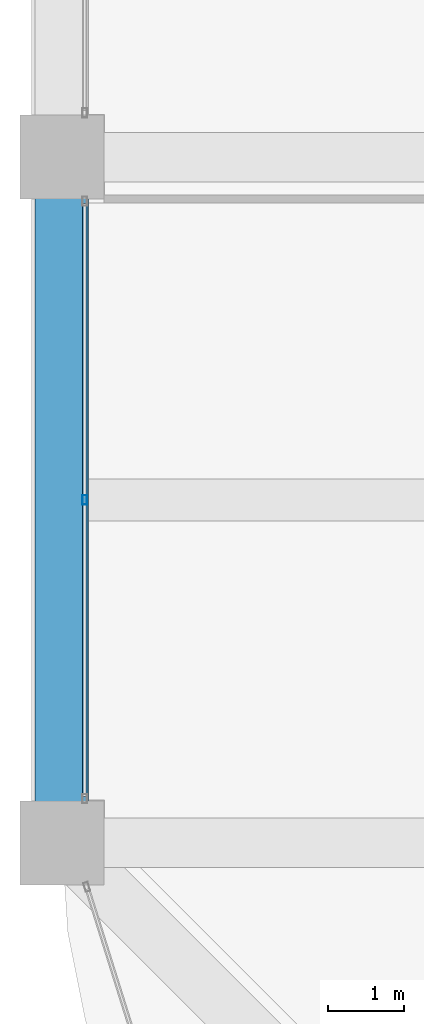
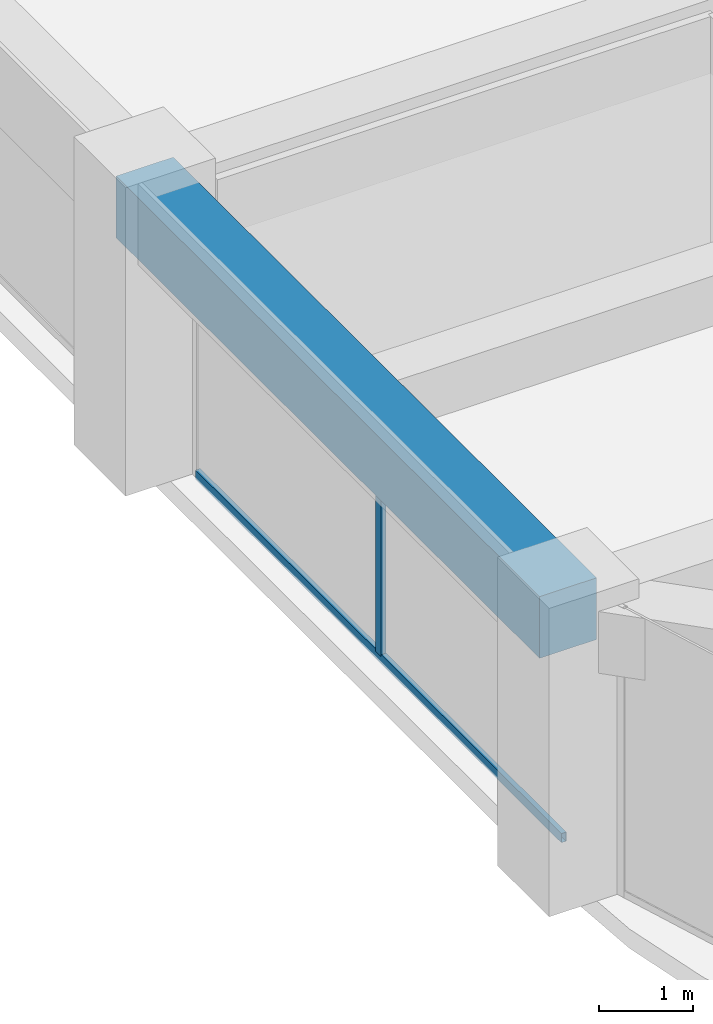
# One storey, part 7 of 45: 2 members, 1 beam, 1 element without a shape of its own.
"""IFC4 building model written with IfcOpenShell, lengths in metres."""

import ifcopenshell
import ifcopenshell.guid

model = None  # the IFC model being written
_history = None  # IfcOwnerHistory: only IFC2X3 demands one
_inside = {}  # id of a spatial element -> (the spatial element, [elements in it])
_under = {}  # id of a project, library or spatial element -> (it, [spatial elements below it])
_declared = {}  # id of a project -> (the project, [libraries it declares])
_typed = {}  # id of a type object -> (the type object, [elements of that type])
_made_of = {}  # id of a material, layer set ... -> (it, [elements and type objects made of it])


def new_model(schema):
    """Start an empty IFC model of exactly this schema.

    Asked for "IFC4X3", IfcOpenShell would pick the latest addendum, in which some entities
    have other attributes; the version numbers below select the first issue.
    IFC2X3 requires an IfcOwnerHistory on every rooted entity: one is made here for all.
    """
    global model, _history
    if schema == "IFC4X3":
        model = ifcopenshell.file(schema_version=(4, 3, 0, 0))
    else:
        model = ifcopenshell.file(schema=schema)
    _inside.clear()
    _under.clear()
    _declared.clear()
    _typed.clear()
    _made_of.clear()
    _history = None
    if model.schema == "IFC2X3":
        org = make("IfcOrganization", Name="unknown")
        user = make(
            "IfcPersonAndOrganization",
            ThePerson=make("IfcPerson", FamilyName="unknown"),
            TheOrganization=org,
        )
        app = make(
            "IfcApplication",
            ApplicationDeveloper=org,
            Version="unknown",
            ApplicationFullName="unknown",
            ApplicationIdentifier="unknown",
        )
        _history = make(
            "IfcOwnerHistory",
            OwningUser=user,
            OwningApplication=app,
            ChangeAction="ADDED",
            CreationDate=0,
        )
    return model


def make(cls, **values):
    """One entity of the class cls with the attributes given. An attribute that is None is left unset."""
    return model.create_entity(
        cls, **{name: value for name, value in values.items() if value is not None}
    )


def rooted(cls, **values):
    """An entity with a GlobalId (a new one), such as an element, a storey or a relation."""
    return make(cls, GlobalId=ifcopenshell.guid.new(), OwnerHistory=_history, **values)


def si_unit(unit_type, name, prefix=None):
    """IfcSIUnit, for example si_unit("LENGTHUNIT", "METRE", prefix="MILLI")."""
    return make("IfcSIUnit", UnitType=unit_type, Prefix=prefix, Name=name)


def assignment(units):
    """IfcUnitAssignment: the units of a project."""
    return None if units is None else make("IfcUnitAssignment", Units=units)


def point(xyz):
    """IfcCartesianPoint."""
    return None if xyz is None else make("IfcCartesianPoint", Coordinates=xyz)


def direction(xyz):
    """IfcDirection."""
    return None if xyz is None else make("IfcDirection", DirectionRatios=xyz)


def frame(location, z_axis=None, x_axis=None):
    """IfcAxis2Placement3D, a coordinate frame: its origin and axes. An axis left out is left unset."""
    return make(
        "IfcAxis2Placement3D",
        Location=point(location),
        Axis=direction(z_axis),
        RefDirection=direction(x_axis),
    )


def frame_2d(location, x_axis=None):
    """IfcAxis2Placement2D, a coordinate frame in the plane: its origin and x axis."""
    return make(
        "IfcAxis2Placement2D", Location=point(location), RefDirection=direction(x_axis)
    )


def origin():
    """The frame at (0, 0, 0) with its axes left unset."""
    return frame((0.0, 0.0, 0.0))


def origin_2d():
    """The frame at (0, 0) in the plane with its x axis left unset."""
    return frame_2d((0.0, 0.0))


def place(relative_to, where):
    """IfcLocalPlacement: puts the frame where relative to a parent placement (None: the world)."""
    return make(
        "IfcLocalPlacement", PlacementRelTo=relative_to, RelativePlacement=where
    )


def context(
    kind, dimensions, precision=None, world=None, true_north=None, identifier=None
):
    """IfcGeometricRepresentationContext, for example the 3D "Model" context."""
    return make(
        "IfcGeometricRepresentationContext",
        ContextIdentifier=identifier,
        ContextType=kind,
        CoordinateSpaceDimension=dimensions,
        Precision=precision,
        WorldCoordinateSystem=world,
        TrueNorth=true_north,
    )


def subcontext(parent, identifier, kind, view, scale=None):
    """IfcGeometricRepresentationSubContext, for example "Body" below "Model"."""
    return make(
        "IfcGeometricRepresentationSubContext",
        ContextIdentifier=identifier,
        ContextType=kind,
        ParentContext=parent,
        TargetScale=scale,
        TargetView=view,
    )


def project(units=None, contexts=None):
    """IfcProject with its units and contexts."""
    return rooted(
        "IfcProject",
        Name="project",
        RepresentationContexts=contexts,
        UnitsInContext=assignment(units),
    )


def spatial(cls, under=None, at=None, **own):
    """A site, building, storey or space (cls), placed at a placement, below another one or the project."""
    s = rooted(cls, ObjectPlacement=at, **own)
    if under is not None:
        _under.setdefault(under.id(), (under, []))[1].append(s)
    return s


def profile(cls, at=None, kind="AREA", **sizes):
    """A parametric profile (cls). Its sizes go by their IFC names, for example OverallWidth=200.0."""
    return make(cls, ProfileType=kind, Position=at, **sizes)


def rectangle(**sizes):
    """IfcRectangleProfileDef."""
    return profile("IfcRectangleProfileDef", **sizes)


def hollow_rectangle(**sizes):
    """IfcRectangleHollowProfileDef."""
    return profile("IfcRectangleHollowProfileDef", **sizes)


def extrude(swept, where, along, depth):
    """IfcExtrudedAreaSolid: the profile swept, set in the frame where, extruded along a direction by depth."""
    return make(
        "IfcExtrudedAreaSolid",
        SweptArea=swept,
        Position=where,
        ExtrudedDirection=direction(along),
        Depth=depth,
    )


def shape(context_of_items, identifier, shape_type, items):
    """IfcShapeRepresentation: the items that make up one representation, for example the "Body"."""
    return make(
        "IfcShapeRepresentation",
        ContextOfItems=context_of_items,
        RepresentationIdentifier=identifier,
        RepresentationType=shape_type,
        Items=items,
    )


def material(Name=None, Category=None):
    """IfcMaterial."""
    return make("IfcMaterial", Name=Name, Category=Category)


def material_profile(
    of_material, cross_section, Name=None, Category=None, Priority=None
):
    """IfcMaterialProfile: a cross section and its material."""
    return make(
        "IfcMaterialProfile",
        Name=Name,
        Material=of_material,
        Profile=cross_section,
        Priority=Priority,
        Category=Category,
    )


def profile_set(profiles, Name=None, composite=None):
    """IfcMaterialProfileSet."""
    return make(
        "IfcMaterialProfileSet",
        Name=Name,
        MaterialProfiles=profiles,
        CompositeProfile=composite,
    )


def made_of(thing, what):
    """Note that an element or type object is made of a material, layer set ...; save() writes the relation."""
    if what is not None:
        _made_of.setdefault(what.id(), (what, []))[1].append(thing)
    return thing


def type_object(cls, material=None, **own):
    """A type object (cls), such as IfcWallType, which elements share."""
    return made_of(rooted(cls, **own), material)


def element(
    cls,
    number,
    at=None,
    inside=None,
    cuts=None,
    type_object=None,
    material=None,
    context=None,
    identifier="Body",
    shape_type=None,
    held_by="IfcProductDefinitionShape",
    body=None,
    shapes=None,
    **own,
):
    """One element of the class cls, such as IfcWall. Its Tag is "e" and its number.

    at: its placement. inside: the storey or other place that contains it. cuts: it is an
    opening in that element (IfcRelVoidsElement). A single representation is given by context,
    identifier, shape_type and body (its items); several are given by shapes. held_by: the class
    of the entity that holds the representations. save() writes the other relations.
    """
    e = rooted(cls, Tag="e%d" % number, ObjectPlacement=at, **own)
    if body is not None:
        shapes = [shape(context, identifier, shape_type, body)]
    if shapes is not None:
        e.Representation = make(held_by, Representations=shapes)
    if inside is not None:
        _inside.setdefault(inside.id(), (inside, []))[1].append(e)
    if cuts is not None:
        rooted(
            "IfcRelVoidsElement", RelatingBuildingElement=cuts, RelatedOpeningElement=e
        )
    if type_object is not None:
        _typed.setdefault(type_object.id(), (type_object, []))[1].append(e)
    return made_of(e, material)


def aggregate(whole, parts):
    """IfcRelAggregates: a whole, such as a stair, and the parts it consists of."""
    return rooted("IfcRelAggregates", RelatingObject=whole, RelatedObjects=parts)


def save(model, path):
    """Write the relations noted so far, then the file.

    IfcRelAggregates (storeys below a building ...), IfcRelContainedInSpatialStructure (elements
    in a storey), IfcRelDefinesByType, IfcRelAssociatesMaterial and IfcRelDeclares: one each for
    every whole, place, type object, material and project.
    """
    for whole, parts in _under.values():
        aggregate(whole, parts)
    for where, things in _inside.values():
        rooted(
            "IfcRelContainedInSpatialStructure",
            RelatedElements=things,
            RelatingStructure=where,
        )
    for kind, things in _typed.values():
        rooted("IfcRelDefinesByType", RelatedObjects=things, RelatingType=kind)
    for what, things in _made_of.values():
        rooted("IfcRelAssociatesMaterial", RelatedObjects=things, RelatingMaterial=what)
    for by, libraries in _declared.values():
        rooted("IfcRelDeclares", RelatingContext=by, RelatedDefinitions=libraries)
    model.write(path)


model = new_model("IFC4")

# Units and contexts
model_context = context("Model", 3, precision=1e-05, world=origin(), true_north=direction((0.0, 1.0)))
body_context = subcontext(model_context, "Body", "Model", "MODEL_VIEW")
ifc_project = project(units=[si_unit("LENGTHUNIT", "METRE"), si_unit("AREAUNIT", "SQUARE_METRE"), si_unit("VOLUMEUNIT", "CUBIC_METRE"), si_unit("PLANEANGLEUNIT", "RADIAN"), si_unit("MASSUNIT", "GRAM", prefix="KILO")], contexts=[model_context])

# Site, building, storey
site_placement = place(None, origin())
site = spatial("IfcSite", under=ifc_project, at=site_placement, CompositionType="ELEMENT")
building_placement = place(site_placement, origin())
building = spatial("IfcBuilding", under=site, at=building_placement, Name="Zorevar Civic Tower", CompositionType="ELEMENT")
storey_placement = place(building_placement, frame((0.0, 0.0, 279.39990234375)))
storey = spatial("IfcBuildingStorey", under=building, at=storey_placement, Name="L68", CompositionType="ELEMENT", Elevation=279.39990234375)

# Curtain wall, members
ifc_material_1 = material(Name="Dark grey solar-control glass in black aluminium frame", Category="aluminium")
curtain_wall_type = type_object("IfcCurtainWallType", Name="Curtain wall CW5 top zone", PredefinedType="NOTDEFINED", material=ifc_material_1)
curtain_wall_placement = place(storey_placement, origin())
curtain_wall = element("IfcCurtainWall", 1, at=curtain_wall_placement, inside=storey, type_object=curtain_wall_type, Name="CW5 L68", PredefinedType="NOTDEFINED")
ifc_material_2 = material(Name="Aluminium, black anodised", Category="aluminium")
ifc_material_profile_1 = material_profile(ifc_material_2, hollow_rectangle(XDim=0.06005859375, YDim=0.1201171875, WallThickness=0.0029296875, at=origin_2d()), Name="AL 120x60x3")
ifc_profile_set_1 = profile_set([ifc_material_profile_1], Name="Aluminium, black anodised")
member_type_1 = type_object("IfcMemberType", Name="CW5 mullion AL 120x60x3", PredefinedType="MULLION", material=ifc_profile_set_1)
member_1_placement = place(storey_placement, frame((9.300048828125, 13.5, 0.06005859375), z_axis=(0.0, 0.0, 1.0), x_axis=(-1.0, 0.0, 0.0)))
member_1 = element("IfcMember", 2, at=member_1_placement, type_object=member_type_1, Name="CW5 mullion 2", PredefinedType="MULLION", context=body_context, shape_type="SweptSolid", body=[
    extrude(hollow_rectangle(XDim=0.06005859375, YDim=0.1201171875, WallThickness=0.0029296875, at=origin_2d()), origin(), (0.0, 0.0, 1.0), 2.89013671875),
])
ifc_material_3 = material(Name="Aluminium, black anodised", Category="aluminium")
ifc_material_profile_2 = material_profile(ifc_material_3, hollow_rectangle(XDim=0.06005859375, YDim=0.1201171875, WallThickness=0.0029296875, at=origin_2d()), Name="AL 120x60x3")
ifc_profile_set_2 = profile_set([ifc_material_profile_2], Name="Aluminium, black anodised")
member_type_2 = type_object("IfcMemberType", Name="CW5 transom AL 120x60x3", PredefinedType="USERDEFINED", material=ifc_profile_set_2)
member_2_placement = place(storey_placement, frame((9.300048828125, 9.610107421875, 0.030029296875), z_axis=(0.0, 1.0, 0.0), x_axis=(-1.0, 0.0, 0.0)))
member_2 = element("IfcMember", 3, at=member_2_placement, type_object=member_type_2, Name="CW5 sill transom", ObjectType="TRANSOM", PredefinedType="USERDEFINED", context=body_context, shape_type="SweptSolid", body=[
    extrude(hollow_rectangle(XDim=0.06005859375, YDim=0.1201171875, WallThickness=0.0029296875, at=origin_2d()), origin(), (0.0, 0.0, 1.0), 7.77978515625),
])
aggregate(curtain_wall, [member_1, member_2])

# Beam
ifc_material_4 = material(Name="Concrete C50/60", Category="concrete")
ifc_material_profile_3 = material_profile(ifc_material_4, rectangle(XDim=0.699951171875, YDim=0.800048828125, at=origin_2d()), Name="RC 700x800")
ifc_profile_set_3 = profile_set([ifc_material_profile_3], Name="Concrete C50/60")
beam_type = type_object("IfcBeamType", Name="Edge beam RC 700x800", PredefinedType="SPANDREL", material=ifc_profile_set_3)
beam_placement = place(storey_placement, frame((9.0, 9.0, 3.35009765625), z_axis=(0.0, 1.0, 0.0), x_axis=(-1.0, 0.0, 0.0)))
element("IfcBeam", 4, at=beam_placement, inside=storey, type_object=beam_type, Name="Edge beam L69", PredefinedType="SPANDREL", context=body_context, shape_type="SweptSolid", body=[
    extrude(rectangle(XDim=0.699951171875, YDim=0.800048828125, at=origin_2d()), origin(), (0.0, 0.0, 1.0), 9.0),
])

save(model, "model.ifc")
